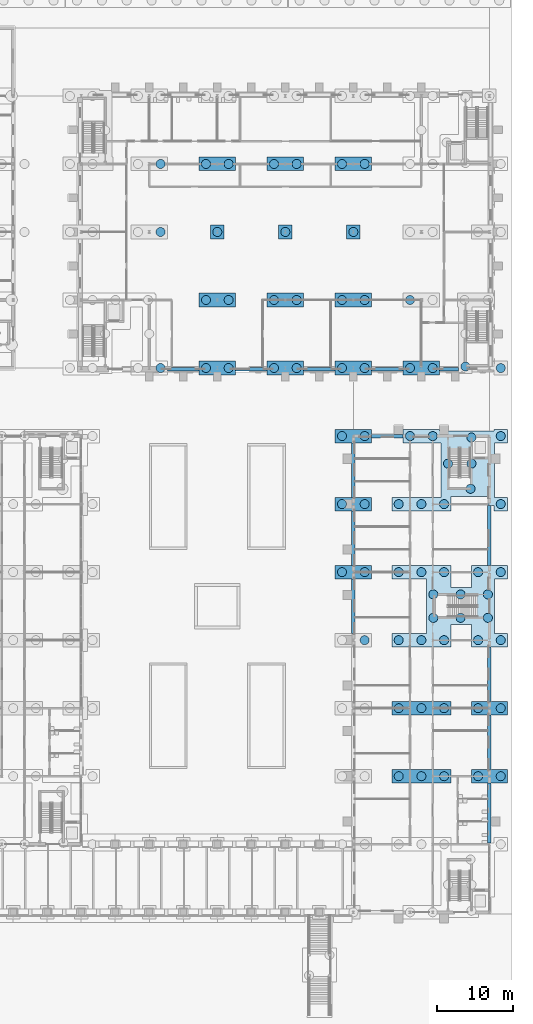
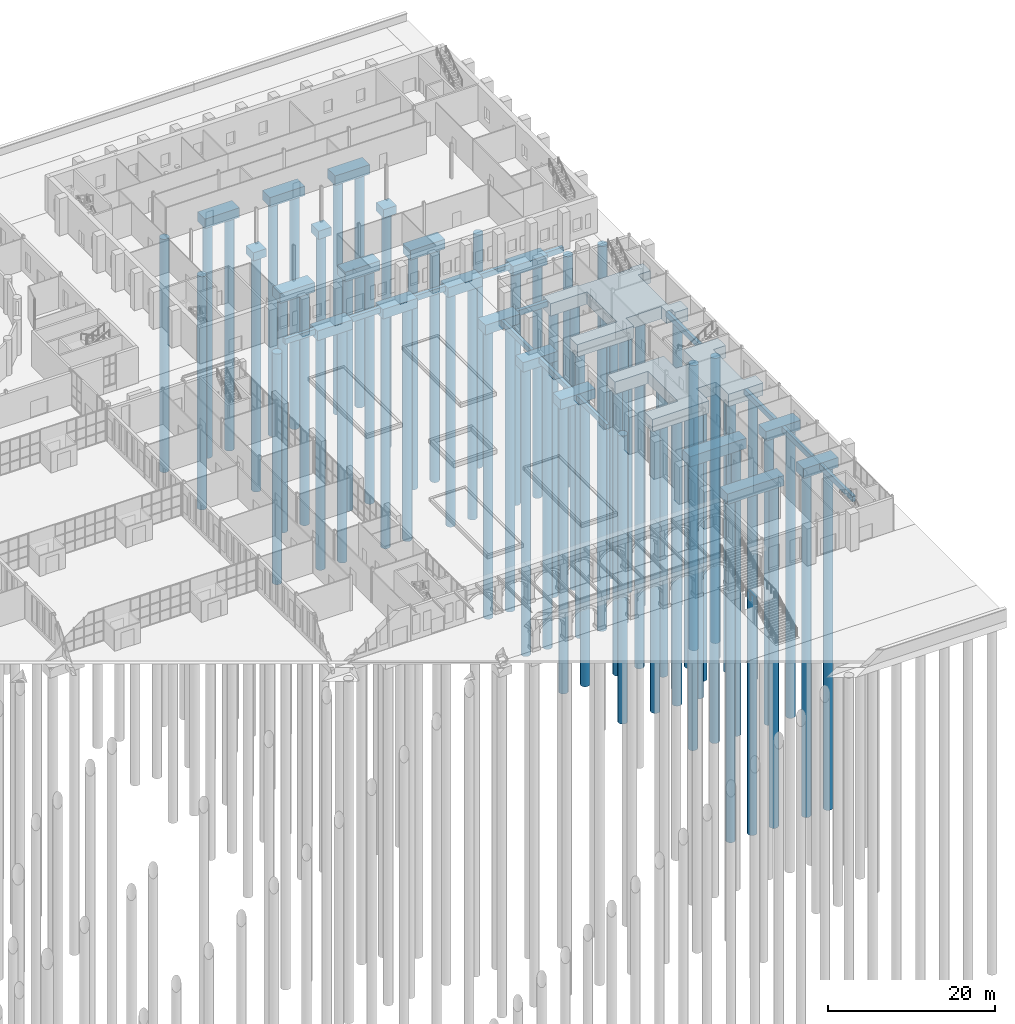
# One storey, part 7 of 168: 73 piles, 35 footings.
"""IFC4 building model written with IfcOpenShell, lengths in metres."""

from ifc_helpers import new_model, si_unit, direction, frame, origin, origin_2d, place, context, subcontext, project, spatial, polyline, circle, outline, extrude, material, material_profile, profile_set, type_object, element, save


model = new_model("IFC4")

# Units and contexts
model_context = context("Model", 3, precision=1e-05, world=origin(), true_north=direction((0.0, 1.0)))
body_context = subcontext(model_context, "Body", "Model", "MODEL_VIEW")
ifc_project = project(units=[si_unit("LENGTHUNIT", "METRE"), si_unit("AREAUNIT", "SQUARE_METRE"), si_unit("VOLUMEUNIT", "CUBIC_METRE"), si_unit("PLANEANGLEUNIT", "RADIAN"), si_unit("MASSUNIT", "GRAM", prefix="KILO")], contexts=[model_context])

# Site, building, storey
site_placement = place(None, origin())
site = spatial("IfcSite", under=ifc_project, at=site_placement, CompositionType="ELEMENT")
building_placement = place(site_placement, origin())
building = spatial("IfcBuilding", under=site, at=building_placement, Name="Golden Quay Civic Hall", CompositionType="ELEMENT")
storey_placement = place(building_placement, origin())
storey = spatial("IfcBuildingStorey", under=building, at=storey_placement, Name="L00", CompositionType="ELEMENT", Elevation=0.0)

# Piles
ifc_material_1 = material(Name="Concrete C40/50", Category="concrete")
ifc_material_profile = material_profile(ifc_material_1, circle(Radius=0.60009765625, at=origin_2d()), Name="RC D1200")
ifc_profile_set = profile_set([ifc_material_profile], Name="Concrete C40/50")
pile_type = type_object("IfcPileType", Name="Bored pile 1200", PredefinedType="BORED", material=ifc_profile_set)
pile_1_placement = place(storey_placement, frame((127.5, 63.0, -2.300048828125), z_axis=(0.0, 0.0, -1.0), x_axis=(1.0, 0.0, 0.0)))
element("IfcPile", 1, at=pile_1_placement, inside=storey, type_object=pile_type, Name="PL1 bored pile", PredefinedType="BORED", context=body_context, shape_type="SweptSolid", body=[
    extrude(circle(Radius=0.60009765625, at=origin_2d()), origin(), (0.0, 0.0, 1.0), 33.699951171875),
])
for number, where, z_axis, x_axis, name in (
    (2, (127.5, 81.0, -1.89990234375), (0.0, 0.0, -1.0), (1.0, 0.0, 0.0), "PL1 bored pile"),
    (3, (127.5, 90.0, -1.89990234375), (0.0, 0.0, -1.0), (1.0, 0.0, 0.0), "PL1 bored pile"),
    (4, (133.5, 63.0, -1.89990234375), (0.0, 0.0, -1.0), (1.0, 0.0, 0.0), "PL1 bored pile"),
    (5, (136.5, 63.0, -1.89990234375), (0.0, 0.0, -1.0), (1.0, 0.0, 0.0), "PL1 bored pile"),
    (6, (133.5, 72.0, -1.89990234375), (0.0, 0.0, -1.0), (1.0, 0.0, 0.0), "PL1 bored pile"),
    (7, (136.5, 72.0, -1.89990234375), (0.0, 0.0, -1.0), (1.0, 0.0, 0.0), "PL1 bored pile"),
    (8, (133.5, 90.0, -1.89990234375), (0.0, 0.0, -1.0), (1.0, 0.0, 0.0), "PL1 bored pile"),
    (9, (136.5, 90.0, -1.89990234375), (0.0, 0.0, -1.0), (1.0, 0.0, 0.0), "PL1 bored pile"),
):
    element("IfcPile", number, at=place(storey_placement, frame(where, z_axis=z_axis, x_axis=x_axis)), inside=storey, type_object=pile_type, Name=name, PredefinedType="BORED", context=body_context, shape_type="SweptSolid", body=[
        extrude(circle(Radius=0.60009765625, at=origin_2d()), origin(), (0.0, 0.0, 1.0), 34.10009765625),
    ])
pile_2_placement = place(storey_placement, frame((135.0, 81.0, -1.699951171875), z_axis=(0.0, 0.0, -1.0), x_axis=(1.0, 0.0, 0.0)))
element("IfcPile", 10, at=pile_2_placement, inside=storey, type_object=pile_type, Name="PL1 bored pile", PredefinedType="BORED", context=body_context, shape_type="SweptSolid", body=[
    extrude(circle(Radius=0.60009765625, at=origin_2d()), origin(), (0.0, 0.0, 1.0), 34.300048828125),
])
for number, where, z_axis, x_axis, name in (
    (11, (142.5, 63.0, -1.89990234375), (0.0, 0.0, -1.0), (1.0, 0.0, 0.0), "PL1 bored pile"),
    (12, (145.5, 63.0, -1.89990234375), (0.0, 0.0, -1.0), (1.0, 0.0, 0.0), "PL1 bored pile"),
    (13, (142.5, 72.0, -1.89990234375), (0.0, 0.0, -1.0), (1.0, 0.0, 0.0), "PL1 bored pile"),
    (14, (145.5, 72.0, -1.89990234375), (0.0, 0.0, -1.0), (1.0, 0.0, 0.0), "PL1 bored pile"),
    (15, (142.5, 90.0, -1.89990234375), (0.0, 0.0, -1.0), (1.0, 0.0, 0.0), "PL1 bored pile"),
    (16, (145.5, 90.0, -1.89990234375), (0.0, 0.0, -1.0), (1.0, 0.0, 0.0), "PL1 bored pile"),
):
    element("IfcPile", number, at=place(storey_placement, frame(where, z_axis=z_axis, x_axis=x_axis)), inside=storey, type_object=pile_type, Name=name, PredefinedType="BORED", context=body_context, shape_type="SweptSolid", body=[
        extrude(circle(Radius=0.60009765625, at=origin_2d()), origin(), (0.0, 0.0, 1.0), 34.10009765625),
    ])
pile_3_placement = place(storey_placement, frame((144.0, 81.0, -1.699951171875), z_axis=(0.0, 0.0, -1.0), x_axis=(1.0, 0.0, 0.0)))
element("IfcPile", 17, at=pile_3_placement, inside=storey, type_object=pile_type, Name="PL1 bored pile", PredefinedType="BORED", context=body_context, shape_type="SweptSolid", body=[
    extrude(circle(Radius=0.60009765625, at=origin_2d()), origin(), (0.0, 0.0, 1.0), 34.300048828125),
])
for number, where, z_axis, x_axis, name in (
    (18, (154.5, 27.0, -1.89990234375), (0.0, 0.0, -1.0), (1.0, 0.0, 0.0), "PL1 bored pile"),
    (19, (151.5, 36.0, -1.89990234375), (0.0, 0.0, -1.0), (1.0, 0.0, 0.0), "PL1 bored pile"),
    (20, (154.5, 36.0, -1.89990234375), (0.0, 0.0, -1.0), (1.0, 0.0, 0.0), "PL1 bored pile"),
    (21, (151.5, 45.0, -1.89990234375), (0.0, 0.0, -1.0), (1.0, 0.0, 0.0), "PL1 bored pile"),
    (22, (154.5, 45.0, -1.89990234375), (0.0, 0.0, -1.0), (1.0, 0.0, 0.0), "PL1 bored pile"),
    (23, (151.5, 54.0, -1.89990234375), (0.0, 0.0, -1.0), (1.0, 0.0, 0.0), "PL1 bored pile"),
    (24, (154.5, 54.0, -1.89990234375), (0.0, 0.0, -1.0), (1.0, 0.0, 0.0), "PL1 bored pile"),
):
    element("IfcPile", number, at=place(storey_placement, frame(where, z_axis=z_axis, x_axis=x_axis)), inside=storey, type_object=pile_type, Name=name, PredefinedType="BORED", context=body_context, shape_type="SweptSolid", body=[
        extrude(circle(Radius=0.60009765625, at=origin_2d()), origin(), (0.0, 0.0, 1.0), 42.10009765625),
    ])
for number, where, z_axis, x_axis, name in (
    (25, (151.5, 63.0, -1.89990234375), (0.0, 0.0, -1.0), (1.0, 0.0, 0.0), "PL1 bored pile"),
    (26, (154.5, 63.0, -1.89990234375), (0.0, 0.0, -1.0), (1.0, 0.0, 0.0), "PL1 bored pile"),
    (27, (151.5, 72.0, -1.89990234375), (0.0, 0.0, -1.0), (1.0, 0.0, 0.0), "PL1 bored pile"),
    (28, (154.5, 72.0, -1.89990234375), (0.0, 0.0, -1.0), (1.0, 0.0, 0.0), "PL1 bored pile"),
    (29, (151.5, 90.0, -1.89990234375), (0.0, 0.0, -1.0), (1.0, 0.0, 0.0), "PL1 bored pile"),
    (30, (154.5, 90.0, -1.89990234375), (0.0, 0.0, -1.0), (1.0, 0.0, 0.0), "PL1 bored pile"),
):
    element("IfcPile", number, at=place(storey_placement, frame(where, z_axis=z_axis, x_axis=x_axis)), inside=storey, type_object=pile_type, Name=name, PredefinedType="BORED", context=body_context, shape_type="SweptSolid", body=[
        extrude(circle(Radius=0.60009765625, at=origin_2d()), origin(), (0.0, 0.0, 1.0), 34.10009765625),
    ])
pile_4_placement = place(storey_placement, frame((153.0, 81.0, -1.699951171875), z_axis=(0.0, 0.0, -1.0), x_axis=(1.0, 0.0, 0.0)))
element("IfcPile", 31, at=pile_4_placement, inside=storey, type_object=pile_type, Name="PL1 bored pile", PredefinedType="BORED", context=body_context, shape_type="SweptSolid", body=[
    extrude(circle(Radius=0.60009765625, at=origin_2d()), origin(), (0.0, 0.0, 1.0), 34.300048828125),
])
for number, where, z_axis, x_axis, name in (
    (32, (159.0, 9.0, -2.0), (0.0, 0.0, -1.0), (1.0, 0.0, 0.0), "PL1 bored pile"),
    (33, (162.0, 9.0, -2.0), (0.0, 0.0, -1.0), (1.0, 0.0, 0.0), "PL1 bored pile"),
    (34, (165.0, 9.0, -2.0), (0.0, 0.0, -1.0), (1.0, 0.0, 0.0), "PL1 bored pile"),
):
    element("IfcPile", number, at=place(storey_placement, frame(where, z_axis=z_axis, x_axis=x_axis)), inside=storey, type_object=pile_type, Name=name, PredefinedType="BORED", context=body_context, shape_type="SweptSolid", body=[
        extrude(circle(Radius=0.60009765625, at=origin_2d()), origin(), (0.0, 0.0, 1.0), 50.0),
    ])
for number, where, z_axis, x_axis, name in (
    (35, (159.0, 18.0, -2.0), (0.0, 0.0, -1.0), (1.0, 0.0, 0.0), "PL1 bored pile"),
    (36, (162.0, 18.0, -2.0), (0.0, 0.0, -1.0), (1.0, 0.0, 0.0), "PL1 bored pile"),
    (37, (165.0, 18.0, -2.0), (0.0, 0.0, -1.0), (1.0, 0.0, 0.0), "PL1 bored pile"),
):
    element("IfcPile", number, at=place(storey_placement, frame(where, z_axis=z_axis, x_axis=x_axis)), inside=storey, type_object=pile_type, Name=name, PredefinedType="BORED", context=body_context, shape_type="SweptSolid", body=[
        extrude(circle(Radius=0.60009765625, at=origin_2d()), origin(), (0.0, 0.0, 1.0), 42.0),
    ])
for number, where, z_axis, x_axis, name in (
    (38, (159.0, 27.0, -2.300048828125), (0.0, 0.0, -1.0), (1.0, 0.0, 0.0), "PL1 bored pile"),
    (39, (159.0, 36.0, -2.300048828125), (0.0, 0.0, -1.0), (1.0, 0.0, 0.0), "PL1 bored pile"),
    (40, (162.0, 27.0, -2.300048828125), (0.0, 0.0, -1.0), (1.0, 0.0, 0.0), "PL1 bored pile"),
    (41, (162.0, 36.0, -2.300048828125), (0.0, 0.0, -1.0), (1.0, 0.0, 0.0), "PL1 bored pile"),
    (42, (163.574951171875, 29.949951171875, -2.300048828125), (0.0, 0.0, -1.0), (1.0, 0.0, 0.0), "PL1 bored pile"),
    (43, (163.574951171875, 33.050048828125, -2.300048828125), (0.0, 0.0, -1.0), (1.0, 0.0, 0.0), "PL1 bored pile"),
    (44, (165.0, 27.0, -2.300048828125), (0.0, 0.0, -1.0), (1.0, 0.0, 0.0), "PL1 bored pile"),
    (45, (165.0, 36.0, -2.300048828125), (0.0, 0.0, -1.0), (1.0, 0.0, 0.0), "PL1 bored pile"),
    (46, (167.18798828125, 29.949951171875, -2.300048828125), (0.0, 0.0, -1.0), (1.0, 0.0, 0.0), "PL1 bored pile"),
    (47, (167.18798828125, 33.050048828125, -2.300048828125), (0.0, 0.0, -1.0), (1.0, 0.0, 0.0), "PL1 bored pile"),
    (48, (169.5, 27.0, -2.300048828125), (0.0, 0.0, -1.0), (1.0, 0.0, 0.0), "PL1 bored pile"),
    (49, (169.5, 36.0, -2.300048828125), (0.0, 0.0, -1.0), (1.0, 0.0, 0.0), "PL1 bored pile"),
    (50, (170.800048828125, 29.949951171875, -2.300048828125), (0.0, 0.0, -1.0), (1.0, 0.0, 0.0), "PL1 bored pile"),
    (51, (170.800048828125, 33.050048828125, -2.300048828125), (0.0, 0.0, -1.0), (1.0, 0.0, 0.0), "PL1 bored pile"),
    (52, (172.5, 27.0, -2.300048828125), (0.0, 0.0, -1.0), (1.0, 0.0, 0.0), "PL1 bored pile"),
    (53, (172.5, 36.0, -2.300048828125), (0.0, 0.0, -1.0), (1.0, 0.0, 0.0), "PL1 bored pile"),
    (54, (159.0, 45.0, -2.300048828125), (0.0, 0.0, -1.0), (1.0, 0.0, 0.0), "PL1 bored pile"),
    (55, (160.5, 54.0, -2.300048828125), (0.0, 0.0, -1.0), (1.0, 0.0, 0.0), "PL1 bored pile"),
    (56, (162.0, 45.0, -2.300048828125), (0.0, 0.0, -1.0), (1.0, 0.0, 0.0), "PL1 bored pile"),
    (57, (163.5, 54.0, -2.300048828125), (0.0, 0.0, -1.0), (1.0, 0.0, 0.0), "PL1 bored pile"),
    (58, (165.0, 45.0, -2.300048828125), (0.0, 0.0, -1.0), (1.0, 0.0, 0.0), "PL1 bored pile"),
    (59, (165.52490234375, 50.35009765625, -2.300048828125), (0.0, 0.0, -1.0), (1.0, 0.0, 0.0), "PL1 bored pile"),
    (60, (168.5, 47.02490234375, -2.300048828125), (0.0, 0.0, -1.0), (1.0, 0.0, 0.0), "PL1 bored pile"),
    (61, (168.625, 50.35009765625, -2.300048828125), (0.0, 0.0, -1.0), (1.0, 0.0, 0.0), "PL1 bored pile"),
    (62, (168.625, 53.800048828125, -2.300048828125), (0.0, 0.0, -1.0), (1.0, 0.0, 0.0), "PL1 bored pile"),
    (63, (172.5, 45.0, -2.300048828125), (0.0, 0.0, -1.0), (1.0, 0.0, 0.0), "PL1 bored pile"),
    (64, (172.5, 54.0, -2.300048828125), (0.0, 0.0, -1.0), (1.0, 0.0, 0.0), "PL1 bored pile"),
):
    element("IfcPile", number, at=place(storey_placement, frame(where, z_axis=z_axis, x_axis=x_axis)), inside=storey, type_object=pile_type, Name=name, PredefinedType="BORED", context=body_context, shape_type="SweptSolid", body=[
        extrude(circle(Radius=0.60009765625, at=origin_2d()), origin(), (0.0, 0.0, 1.0), 41.699951171875),
    ])
for number, where, z_axis, x_axis, name in (
    (65, (160.5, 63.0, -1.89990234375), (0.0, 0.0, -1.0), (1.0, 0.0, 0.0), "PL1 bored pile"),
    (66, (163.5, 63.0, -1.89990234375), (0.0, 0.0, -1.0), (1.0, 0.0, 0.0), "PL1 bored pile"),
    (67, (160.5, 72.0, -1.89990234375), (0.0, 0.0, -1.0), (1.0, 0.0, 0.0), "PL1 bored pile"),
):
    element("IfcPile", number, at=place(storey_placement, frame(where, z_axis=z_axis, x_axis=x_axis)), inside=storey, type_object=pile_type, Name=name, PredefinedType="BORED", context=body_context, shape_type="SweptSolid", body=[
        extrude(circle(Radius=0.60009765625, at=origin_2d()), origin(), (0.0, 0.0, 1.0), 34.10009765625),
    ])
for number, where, z_axis, x_axis, name in (
    (68, (167.824951171875, 63.199951171875, -2.300048828125), (0.0, 0.0, -1.0), (1.0, 0.0, 0.0), "PL1 bored pile"),
    (69, (172.5, 63.0, -2.300048828125), (0.0, 0.0, -1.0), (1.0, 0.0, 0.0), "PL1 bored pile"),
):
    element("IfcPile", number, at=place(storey_placement, frame(where, z_axis=z_axis, x_axis=x_axis)), inside=storey, type_object=pile_type, Name=name, PredefinedType="BORED", context=body_context, shape_type="SweptSolid", body=[
        extrude(circle(Radius=0.60009765625, at=origin_2d()), origin(), (0.0, 0.0, 1.0), 33.699951171875),
    ])
for number, where, z_axis, x_axis, name in (
    (70, (169.5, 9.0, -1.89990234375), (0.0, 0.0, -1.0), (1.0, 0.0, 0.0), "PL1 bored pile"),
    (71, (172.5, 9.0, -1.89990234375), (0.0, 0.0, -1.0), (1.0, 0.0, 0.0), "PL1 bored pile"),
):
    element("IfcPile", number, at=place(storey_placement, frame(where, z_axis=z_axis, x_axis=x_axis)), inside=storey, type_object=pile_type, Name=name, PredefinedType="BORED", context=body_context, shape_type="SweptSolid", body=[
        extrude(circle(Radius=0.60009765625, at=origin_2d()), origin(), (0.0, 0.0, 1.0), 50.10009765625),
    ])
for number, where, z_axis, x_axis, name in (
    (72, (169.5, 18.0, -1.89990234375), (0.0, 0.0, -1.0), (1.0, 0.0, 0.0), "PL1 bored pile"),
    (73, (172.5, 18.0, -1.89990234375), (0.0, 0.0, -1.0), (1.0, 0.0, 0.0), "PL1 bored pile"),
):
    element("IfcPile", number, at=place(storey_placement, frame(where, z_axis=z_axis, x_axis=x_axis)), inside=storey, type_object=pile_type, Name=name, PredefinedType="BORED", context=body_context, shape_type="SweptSolid", body=[
        extrude(circle(Radius=0.60009765625, at=origin_2d()), origin(), (0.0, 0.0, 1.0), 42.10009765625),
    ])

# Footings
ifc_material_2 = material(Name="Concrete C40/50", Category="concrete")
footing_type_1 = type_object("IfcFootingType", Name="Ground beam 450 x 800", PredefinedType="FOOTING_BEAM", material=ifc_material_2)
footing_1_placement = place(storey_placement, frame((0.0, 0.0, -1.39990234375)))
element("IfcFooting", 74, at=footing_1_placement, inside=storey, type_object=footing_type_1, Name="F15 ground beam", PredefinedType="FOOTING_BEAM", context=body_context, shape_type="SweptSolid", body=[
    extrude(outline(polyline([(171.22509765625, 0.18505859375), (170.77490234375, 0.18505859375), (170.77490234375, 8.10009765625), (171.22509765625, 8.10009765625), (171.22509765625, 0.18505859375)])), origin(), (0.0, 0.0, 1.0), 0.7998046875),
])
footing_2_placement = place(storey_placement, frame((0.0, 0.0, -1.39990234375)))
element("IfcFooting", 75, at=footing_2_placement, inside=storey, type_object=footing_type_1, Name="F15 ground beam", PredefinedType="FOOTING_BEAM", context=body_context, shape_type="SweptSolid", body=[
    extrude(outline(polyline([(171.22509765625, 9.89990234375), (170.77490234375, 9.89990234375), (170.77490234375, 17.10009765625), (171.22509765625, 17.10009765625), (171.22509765625, 9.89990234375)])), origin(), (0.0, 0.0, 1.0), 0.7998046875),
])
footing_3_placement = place(storey_placement, frame((0.0, 0.0, -1.39990234375)))
element("IfcFooting", 76, at=footing_3_placement, inside=storey, type_object=footing_type_1, Name="F15 ground beam", PredefinedType="FOOTING_BEAM", context=body_context, shape_type="SweptSolid", body=[
    extrude(outline(polyline([(171.22509765625, 18.89990234375), (170.77490234375, 18.89990234375), (170.77490234375, 26.10009765625), (171.22509765625, 26.10009765625), (171.22509765625, 18.89990234375)])), origin(), (0.0, 0.0, 1.0), 0.7998046875),
])
footing_4_placement = place(storey_placement, frame((0.0, 0.0, -1.39990234375)))
element("IfcFooting", 77, at=footing_4_placement, inside=storey, type_object=footing_type_1, Name="F15 ground beam", PredefinedType="FOOTING_BEAM", context=body_context, shape_type="SweptSolid", body=[
    extrude(outline(polyline([(171.22509765625, 36.89990234375), (170.77490234375, 36.89990234375), (170.77490234375, 44.81494140625), (171.22509765625, 44.81494140625), (171.22509765625, 36.89990234375)])), origin(), (0.0, 0.0, 1.0), 0.7998046875),
])
footing_5_placement = place(storey_placement, frame((0.0, 0.0, -1.39990234375)))
element("IfcFooting", 78, at=footing_5_placement, inside=storey, type_object=footing_type_1, Name="F15 ground beam", PredefinedType="FOOTING_BEAM", context=body_context, shape_type="SweptSolid", body=[
    extrude(outline(polyline([(159.60009765625, 54.22509765625), (159.60009765625, 53.77490234375), (155.39990234375, 53.77490234375), (155.39990234375, 54.22509765625), (159.60009765625, 54.22509765625)])), origin(), (0.0, 0.0, 1.0), 0.7998046875),
])
footing_6_placement = place(storey_placement, frame((0.0, 0.0, -1.39990234375)))
element("IfcFooting", 79, at=footing_6_placement, inside=storey, type_object=footing_type_1, Name="F15 ground beam", PredefinedType="FOOTING_BEAM", context=body_context, shape_type="SweptSolid", body=[
    extrude(outline(polyline([(152.77490234375, 35.10009765625), (153.22509765625, 35.10009765625), (153.22509765625, 27.89990234375), (152.77490234375, 27.89990234375), (152.77490234375, 35.10009765625)])), origin(), (0.0, 0.0, 1.0), 0.7998046875),
])
footing_7_placement = place(storey_placement, frame((0.0, 0.0, -1.39990234375)))
element("IfcFooting", 80, at=footing_7_placement, inside=storey, type_object=footing_type_1, Name="F15 ground beam", PredefinedType="FOOTING_BEAM", context=body_context, shape_type="SweptSolid", body=[
    extrude(outline(polyline([(152.77490234375, 44.10009765625), (153.22509765625, 44.10009765625), (153.22509765625, 36.89990234375), (152.77490234375, 36.89990234375), (152.77490234375, 44.10009765625)])), origin(), (0.0, 0.0, 1.0), 0.7998046875),
])
footing_8_placement = place(storey_placement, frame((0.0, 0.0, -1.39990234375)))
element("IfcFooting", 81, at=footing_8_placement, inside=storey, type_object=footing_type_1, Name="F15 ground beam", PredefinedType="FOOTING_BEAM", context=body_context, shape_type="SweptSolid", body=[
    extrude(outline(polyline([(152.77490234375, 53.10009765625), (153.22509765625, 53.10009765625), (153.22509765625, 45.89990234375), (152.77490234375, 45.89990234375), (152.77490234375, 53.10009765625)])), origin(), (0.0, 0.0, 1.0), 0.7998046875),
])
footing_9_placement = place(storey_placement, frame((0.0, 0.0, -1.39990234375)))
element("IfcFooting", 82, at=footing_9_placement, inside=storey, type_object=footing_type_1, Name="F15 ground beam", PredefinedType="FOOTING_BEAM", context=body_context, shape_type="SweptSolid", body=[
    extrude(outline(polyline([(132.60009765625, 63.074951171875), (132.60009765625, 62.625), (128.39990234375, 62.625), (128.39990234375, 63.074951171875), (132.60009765625, 63.074951171875)])), origin(), (0.0, 0.0, 1.0), 0.7998046875),
])
footing_10_placement = place(storey_placement, frame((0.0, 0.0, -1.39990234375)))
element("IfcFooting", 83, at=footing_10_placement, inside=storey, type_object=footing_type_1, Name="F15 ground beam", PredefinedType="FOOTING_BEAM", context=body_context, shape_type="SweptSolid", body=[
    extrude(outline(polyline([(141.60009765625, 63.074951171875), (141.60009765625, 62.625), (137.39990234375, 62.625), (137.39990234375, 63.074951171875), (141.60009765625, 63.074951171875)])), origin(), (0.0, 0.0, 1.0), 0.7998046875),
])
footing_11_placement = place(storey_placement, frame((0.0, 0.0, -1.39990234375)))
element("IfcFooting", 84, at=footing_11_placement, inside=storey, type_object=footing_type_1, Name="F15 ground beam", PredefinedType="FOOTING_BEAM", context=body_context, shape_type="SweptSolid", body=[
    extrude(outline(polyline([(150.60009765625, 63.074951171875), (150.60009765625, 62.625), (146.39990234375, 62.625), (146.39990234375, 63.074951171875), (150.60009765625, 63.074951171875)])), origin(), (0.0, 0.0, 1.0), 0.7998046875),
])
footing_12_placement = place(storey_placement, frame((0.0, 0.0, -1.39990234375)))
element("IfcFooting", 85, at=footing_12_placement, inside=storey, type_object=footing_type_1, Name="F15 ground beam", PredefinedType="FOOTING_BEAM", context=body_context, shape_type="SweptSolid", body=[
    extrude(outline(polyline([(159.60009765625, 63.074951171875), (159.60009765625, 62.625), (155.39990234375, 62.625), (155.39990234375, 63.074951171875), (159.60009765625, 63.074951171875)])), origin(), (0.0, 0.0, 1.0), 0.7998046875),
])
footing_13_placement = place(storey_placement, frame((0.0, 0.0, -1.39990234375)))
element("IfcFooting", 86, at=footing_13_placement, inside=storey, type_object=footing_type_1, Name="F15 ground beam", PredefinedType="FOOTING_BEAM", context=body_context, shape_type="SweptSolid", body=[
    extrude(outline(polyline([(166.925048828125, 63.074951171875), (166.925048828125, 62.625), (164.39990234375, 62.625), (164.39990234375, 63.074951171875), (166.925048828125, 63.074951171875)])), origin(), (0.0, 0.0, 1.0), 0.7998046875),
])
ifc_material_3 = material(Name="Concrete C40/50", Category="concrete")
footing_type_2 = type_object("IfcFootingType", Name="Pile cap 1 pile 1800 x 1800 x 1200", PredefinedType="PILE_CAP", material=ifc_material_3)
footing_14_placement = place(storey_placement, frame((0.0, 0.0, -1.800048828125)))
element("IfcFooting", 87, at=footing_14_placement, inside=storey, type_object=footing_type_2, Name="F10 pile cap", PredefinedType="PILE_CAP", context=body_context, shape_type="SweptSolid", body=[
    extrude(outline(polyline([(135.89990234375, 80.10009765625), (135.89990234375, 81.89990234375), (134.10009765625, 81.89990234375), (134.10009765625, 80.10009765625), (135.89990234375, 80.10009765625)])), origin(), (0.0, 0.0, 1.0), 1.199951171875),
])
footing_15_placement = place(storey_placement, frame((0.0, 0.0, -1.800048828125)))
element("IfcFooting", 88, at=footing_15_placement, inside=storey, type_object=footing_type_2, Name="F10 pile cap", PredefinedType="PILE_CAP", context=body_context, shape_type="SweptSolid", body=[
    extrude(outline(polyline([(144.89990234375, 80.10009765625), (144.89990234375, 81.89990234375), (143.10009765625, 81.89990234375), (143.10009765625, 80.10009765625), (144.89990234375, 80.10009765625)])), origin(), (0.0, 0.0, 1.0), 1.199951171875),
])
footing_16_placement = place(storey_placement, frame((0.0, 0.0, -1.800048828125)))
element("IfcFooting", 89, at=footing_16_placement, inside=storey, type_object=footing_type_2, Name="F10 pile cap", PredefinedType="PILE_CAP", context=body_context, shape_type="SweptSolid", body=[
    extrude(outline(polyline([(153.89990234375, 80.10009765625), (153.89990234375, 81.89990234375), (152.10009765625, 81.89990234375), (152.10009765625, 80.10009765625), (153.89990234375, 80.10009765625)])), origin(), (0.0, 0.0, 1.0), 1.199951171875),
])
ifc_material_4 = material(Name="Concrete C40/50", Category="concrete")
footing_type_3 = type_object("IfcFootingType", Name="Pile cap 2 piles 4800 x 1800 x 1400", PredefinedType="PILE_CAP", material=ifc_material_4)
footing_17_placement = place(storey_placement, frame((0.0, 0.0, -2.0)))
element("IfcFooting", 90, at=footing_17_placement, inside=storey, type_object=footing_type_3, Name="F4 pile cap", PredefinedType="PILE_CAP", context=body_context, shape_type="SweptSolid", body=[
    extrude(outline(polyline([(137.39990234375, 62.10009765625), (137.39990234375, 63.89990234375), (132.60009765625, 63.89990234375), (132.60009765625, 62.10009765625), (137.39990234375, 62.10009765625)])), origin(), (0.0, 0.0, 1.0), 1.39990234375),
])
footing_18_placement = place(storey_placement, frame((0.0, 0.0, -2.0)))
element("IfcFooting", 91, at=footing_18_placement, inside=storey, type_object=footing_type_3, Name="F4 pile cap", PredefinedType="PILE_CAP", context=body_context, shape_type="SweptSolid", body=[
    extrude(outline(polyline([(137.39990234375, 71.10009765625), (137.39990234375, 72.89990234375), (132.60009765625, 72.89990234375), (132.60009765625, 71.10009765625), (137.39990234375, 71.10009765625)])), origin(), (0.0, 0.0, 1.0), 1.39990234375),
])
footing_19_placement = place(storey_placement, frame((0.0, 0.0, -2.0)))
element("IfcFooting", 92, at=footing_19_placement, inside=storey, type_object=footing_type_3, Name="F4 pile cap", PredefinedType="PILE_CAP", context=body_context, shape_type="SweptSolid", body=[
    extrude(outline(polyline([(137.39990234375, 89.10009765625), (137.39990234375, 90.89990234375), (132.60009765625, 90.89990234375), (132.60009765625, 89.10009765625), (137.39990234375, 89.10009765625)])), origin(), (0.0, 0.0, 1.0), 1.39990234375),
])
footing_20_placement = place(storey_placement, frame((0.0, 0.0, -2.0)))
element("IfcFooting", 93, at=footing_20_placement, inside=storey, type_object=footing_type_3, Name="F4 pile cap", PredefinedType="PILE_CAP", context=body_context, shape_type="SweptSolid", body=[
    extrude(outline(polyline([(146.39990234375, 62.10009765625), (146.39990234375, 63.89990234375), (141.60009765625, 63.89990234375), (141.60009765625, 62.10009765625), (146.39990234375, 62.10009765625)])), origin(), (0.0, 0.0, 1.0), 1.39990234375),
])
footing_21_placement = place(storey_placement, frame((0.0, 0.0, -2.0)))
element("IfcFooting", 94, at=footing_21_placement, inside=storey, type_object=footing_type_3, Name="F4 pile cap", PredefinedType="PILE_CAP", context=body_context, shape_type="SweptSolid", body=[
    extrude(outline(polyline([(146.39990234375, 71.10009765625), (146.39990234375, 72.89990234375), (141.60009765625, 72.89990234375), (141.60009765625, 71.10009765625), (146.39990234375, 71.10009765625)])), origin(), (0.0, 0.0, 1.0), 1.39990234375),
])
footing_22_placement = place(storey_placement, frame((0.0, 0.0, -2.0)))
element("IfcFooting", 95, at=footing_22_placement, inside=storey, type_object=footing_type_3, Name="F4 pile cap", PredefinedType="PILE_CAP", context=body_context, shape_type="SweptSolid", body=[
    extrude(outline(polyline([(146.39990234375, 89.10009765625), (146.39990234375, 90.89990234375), (141.60009765625, 90.89990234375), (141.60009765625, 89.10009765625), (146.39990234375, 89.10009765625)])), origin(), (0.0, 0.0, 1.0), 1.39990234375),
])
footing_23_placement = place(storey_placement, frame((0.0, 0.0, -2.0)))
element("IfcFooting", 96, at=footing_23_placement, inside=storey, type_object=footing_type_3, Name="F4 pile cap", PredefinedType="PILE_CAP", context=body_context, shape_type="SweptSolid", body=[
    extrude(outline(polyline([(155.39990234375, 35.10009765625), (155.39990234375, 36.89990234375), (150.60009765625, 36.89990234375), (150.60009765625, 35.10009765625), (155.39990234375, 35.10009765625)])), origin(), (0.0, 0.0, 1.0), 1.39990234375),
])
footing_24_placement = place(storey_placement, frame((0.0, 0.0, -2.0)))
element("IfcFooting", 97, at=footing_24_placement, inside=storey, type_object=footing_type_3, Name="F4 pile cap", PredefinedType="PILE_CAP", context=body_context, shape_type="SweptSolid", body=[
    extrude(outline(polyline([(155.39990234375, 44.10009765625), (155.39990234375, 45.89990234375), (150.60009765625, 45.89990234375), (150.60009765625, 44.10009765625), (155.39990234375, 44.10009765625)])), origin(), (0.0, 0.0, 1.0), 1.39990234375),
])
footing_25_placement = place(storey_placement, frame((0.0, 0.0, -2.0)))
element("IfcFooting", 98, at=footing_25_placement, inside=storey, type_object=footing_type_3, Name="F4 pile cap", PredefinedType="PILE_CAP", context=body_context, shape_type="SweptSolid", body=[
    extrude(outline(polyline([(155.39990234375, 53.10009765625), (155.39990234375, 54.89990234375), (150.60009765625, 54.89990234375), (150.60009765625, 53.10009765625), (155.39990234375, 53.10009765625)])), origin(), (0.0, 0.0, 1.0), 1.39990234375),
])
footing_26_placement = place(storey_placement, frame((0.0, 0.0, -2.0)))
element("IfcFooting", 99, at=footing_26_placement, inside=storey, type_object=footing_type_3, Name="F4 pile cap", PredefinedType="PILE_CAP", context=body_context, shape_type="SweptSolid", body=[
    extrude(outline(polyline([(155.39990234375, 62.10009765625), (155.39990234375, 63.89990234375), (150.60009765625, 63.89990234375), (150.60009765625, 62.10009765625), (155.39990234375, 62.10009765625)])), origin(), (0.0, 0.0, 1.0), 1.39990234375),
])
footing_27_placement = place(storey_placement, frame((0.0, 0.0, -2.0)))
element("IfcFooting", 100, at=footing_27_placement, inside=storey, type_object=footing_type_3, Name="F4 pile cap", PredefinedType="PILE_CAP", context=body_context, shape_type="SweptSolid", body=[
    extrude(outline(polyline([(155.39990234375, 71.10009765625), (155.39990234375, 72.89990234375), (150.60009765625, 72.89990234375), (150.60009765625, 71.10009765625), (155.39990234375, 71.10009765625)])), origin(), (0.0, 0.0, 1.0), 1.39990234375),
])
footing_28_placement = place(storey_placement, frame((0.0, 0.0, -2.0)))
element("IfcFooting", 101, at=footing_28_placement, inside=storey, type_object=footing_type_3, Name="F4 pile cap", PredefinedType="PILE_CAP", context=body_context, shape_type="SweptSolid", body=[
    extrude(outline(polyline([(155.39990234375, 89.10009765625), (155.39990234375, 90.89990234375), (150.60009765625, 90.89990234375), (150.60009765625, 89.10009765625), (155.39990234375, 89.10009765625)])), origin(), (0.0, 0.0, 1.0), 1.39990234375),
])
footing_29_placement = place(storey_placement, frame((0.0, 0.0, -2.0)))
element("IfcFooting", 102, at=footing_29_placement, inside=storey, type_object=footing_type_3, Name="F4 pile cap", PredefinedType="PILE_CAP", context=body_context, shape_type="SweptSolid", body=[
    extrude(outline(polyline([(164.39990234375, 62.10009765625), (164.39990234375, 63.89990234375), (159.60009765625, 63.89990234375), (159.60009765625, 62.10009765625), (164.39990234375, 62.10009765625)])), origin(), (0.0, 0.0, 1.0), 1.39990234375),
])
footing_30_placement = place(storey_placement, frame((0.0, 0.0, -2.0)))
element("IfcFooting", 103, at=footing_30_placement, inside=storey, type_object=footing_type_3, Name="F4 pile cap", PredefinedType="PILE_CAP", context=body_context, shape_type="SweptSolid", body=[
    extrude(outline(polyline([(173.39990234375, 8.10009765625), (173.39990234375, 9.89990234375), (168.60009765625, 9.89990234375), (168.60009765625, 8.10009765625), (173.39990234375, 8.10009765625)])), origin(), (0.0, 0.0, 1.0), 1.39990234375),
])
footing_31_placement = place(storey_placement, frame((0.0, 0.0, -2.0)))
element("IfcFooting", 104, at=footing_31_placement, inside=storey, type_object=footing_type_3, Name="F4 pile cap", PredefinedType="PILE_CAP", context=body_context, shape_type="SweptSolid", body=[
    extrude(outline(polyline([(173.39990234375, 17.10009765625), (173.39990234375, 18.89990234375), (168.60009765625, 18.89990234375), (168.60009765625, 17.10009765625), (173.39990234375, 17.10009765625)])), origin(), (0.0, 0.0, 1.0), 1.39990234375),
])
ifc_material_5 = material(Name="Concrete C40/50", Category="concrete")
footing_type_4 = type_object("IfcFootingType", Name="Pile cap 3 piles 7800 x 1800 x 1500", PredefinedType="PILE_CAP", material=ifc_material_5)
footing_32_placement = place(storey_placement, frame((0.0, 0.0, -2.10009765625)))
element("IfcFooting", 105, at=footing_32_placement, inside=storey, type_object=footing_type_4, Name="F7 pile cap", PredefinedType="PILE_CAP", context=body_context, shape_type="SweptSolid", body=[
    extrude(outline(polyline([(165.89990234375, 8.10009765625), (165.89990234375, 9.89990234375), (158.10009765625, 9.89990234375), (158.10009765625, 8.10009765625), (165.89990234375, 8.10009765625)])), origin(), (0.0, 0.0, 1.0), 1.5),
])
footing_33_placement = place(storey_placement, frame((0.0, 0.0, -2.10009765625)))
element("IfcFooting", 106, at=footing_33_placement, inside=storey, type_object=footing_type_4, Name="F7 pile cap", PredefinedType="PILE_CAP", context=body_context, shape_type="SweptSolid", body=[
    extrude(outline(polyline([(165.89990234375, 17.10009765625), (165.89990234375, 18.89990234375), (158.10009765625, 18.89990234375), (158.10009765625, 17.10009765625), (165.89990234375, 17.10009765625)])), origin(), (0.0, 0.0, 1.0), 1.5),
])
ifc_material_6 = material(Name="Concrete C40/50", Category="concrete")
footing_type_5 = type_object("IfcFootingType", Name="Pile raft 1800 deep on 1200 mm piles", PredefinedType="PILE_CAP", material=ifc_material_6)
footing_34_placement = place(storey_placement, frame((0.0, 0.0, -2.39990234375)))
element("IfcFooting", 107, at=footing_34_placement, inside=storey, type_object=footing_type_5, Name="F11 pile cap", PredefinedType="PILE_CAP", context=body_context, shape_type="SweptSolid", body=[
    extrude(outline(polyline([(158.10009765625, 35.10009765625), (158.10009765625, 36.89990234375), (165.89990234375, 36.89990234375), (165.89990234375, 33.949951171875), (168.60009765625, 33.949951171875), (168.60009765625, 36.89990234375), (173.39990234375, 36.89990234375), (173.39990234375, 35.10009765625), (171.699951171875, 35.10009765625), (171.699951171875, 27.89990234375), (173.39990234375, 27.89990234375), (173.39990234375, 26.10009765625), (168.60009765625, 26.10009765625), (168.60009765625, 29.050048828125), (165.89990234375, 29.050048828125), (165.89990234375, 26.10009765625), (158.10009765625, 26.10009765625), (158.10009765625, 27.89990234375), (162.675048828125, 27.89990234375), (162.675048828125, 35.10009765625), (158.10009765625, 35.10009765625)])), origin(), (0.0, 0.0, 1.0), 1.7998046875),
])
footing_35_placement = place(storey_placement, frame((0.0, 0.0, -2.39990234375)))
element("IfcFooting", 108, at=footing_35_placement, inside=storey, type_object=footing_type_5, Name="F11 pile cap", PredefinedType="PILE_CAP", context=body_context, shape_type="SweptSolid", body=[
    extrude(outline(polyline([(158.10009765625, 44.10009765625), (158.10009765625, 45.89990234375), (164.625, 45.89990234375), (164.625, 53.10009765625), (159.60009765625, 53.10009765625), (159.60009765625, 54.89990234375), (164.39990234375, 54.89990234375), (164.39990234375, 54.699951171875), (171.60009765625, 54.699951171875), (171.60009765625, 54.89990234375), (173.39990234375, 54.89990234375), (173.39990234375, 53.10009765625), (171.699951171875, 53.10009765625), (171.699951171875, 45.89990234375), (173.39990234375, 45.89990234375), (173.39990234375, 44.10009765625), (171.60009765625, 44.10009765625), (171.60009765625, 44.81494140625), (170.81005859375, 44.81494140625), (170.81005859375, 46.0), (165.89990234375, 46.0), (165.89990234375, 44.10009765625), (158.10009765625, 44.10009765625)])), origin(), (0.0, 0.0, 1.0), 1.7998046875),
])

save(model, "model.ifc")
